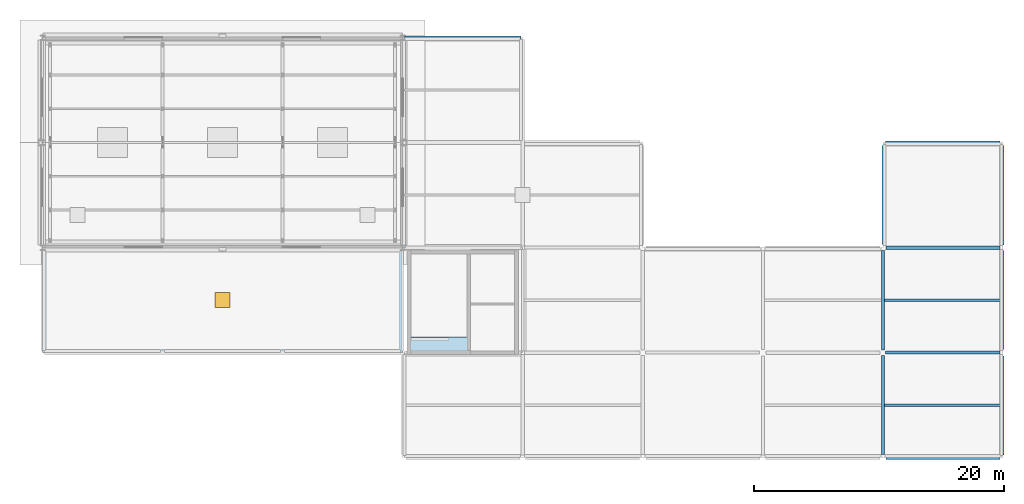
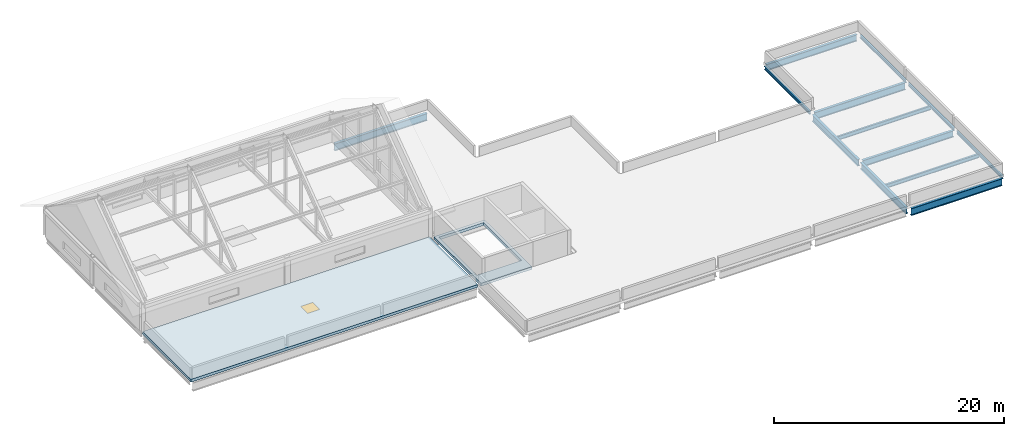
# One storey, part 7 of 10: 13 beams, 2 slabs, 1 door, 1 opening.
"""IFC4 building model written with IfcOpenShell, lengths in metres."""

from ifc_helpers import new_model, si_unit, direction, frame, origin, origin_2d, place, context, subcontext, project, spatial, polyline, rectangle, i_section, outline, extrude, material, layer, layer_set, material_profile, profile_set, type_object, element, fill, save


model = new_model("IFC4")

# Units and contexts
model_context = context("Model", 3, precision=1e-05, world=origin(), true_north=direction((0.0, 1.0)))
body_context = subcontext(model_context, "Body", "Model", "MODEL_VIEW")
ifc_project = project(units=[si_unit("LENGTHUNIT", "METRE"), si_unit("AREAUNIT", "SQUARE_METRE"), si_unit("VOLUMEUNIT", "CUBIC_METRE"), si_unit("PLANEANGLEUNIT", "RADIAN"), si_unit("MASSUNIT", "GRAM", prefix="KILO")], contexts=[model_context])

# Site, building, storey
site_placement = place(None, origin())
site = spatial("IfcSite", under=ifc_project, at=site_placement, CompositionType="ELEMENT")
building_placement = place(site_placement, origin())
building = spatial("IfcBuilding", under=site, at=building_placement, Name="Lornevale Opera House", CompositionType="ELEMENT")
storey_placement = place(building_placement, frame((0.0, 0.0, 31.199951171875)))
storey = spatial("IfcBuildingStorey", under=building, at=storey_placement, Name="RF", CompositionType="ELEMENT", Elevation=31.199951171875)

# Beams
ifc_material_1 = material(Name="Structural Steel CSA G40.21 Grade 350W (350 MPa)", Category="steel")
ifc_material_profile_1 = material_profile(ifc_material_1, i_section(OverallWidth=0.179931640625, OverallDepth=0.4130859375, WebThickness=0.009765625, FlangeThickness=0.01611328125, at=origin_2d()), Name="W410x74")
ifc_profile_set_1 = profile_set([ifc_material_profile_1], Name="Structural Steel CSA G40.21 Grade 350W (350 MPa)")
beam_type_1 = type_object("IfcBeamType", Name="Steel Floor Joist W410x74", PredefinedType="JOIST", material=ifc_profile_set_1)
for number, where, z_axis, x_axis, name in (
    (1, (134.527099609375, 54.60009765625, -0.511474609375), (1.0, 0.0, 0.0), (0.0, 1.0, 0.0), "Steel Floor Joist W410x74 2937"),
    (2, (134.527099609375, 63.0, -0.511474609375), (1.0, 0.0, 0.0), (0.0, 1.0, 0.0), "Steel Floor Joist W410x74 2938"),
):
    element("IfcBeam", number, at=place(storey_placement, frame(where, z_axis=z_axis, x_axis=x_axis)), inside=storey, type_object=beam_type_1, Name=name, PredefinedType="JOIST", context=body_context, shape_type="SweptSolid", body=[
        extrude(i_section(OverallWidth=0.179931640625, OverallDepth=0.4130859375, WebThickness=0.009765625, FlangeThickness=0.01611328125, at=origin_2d()), origin(), (0.0, 0.0, 1.0), 9.389404296875),
    ])
ifc_material_profile_2 = material_profile(ifc_material_1, i_section(OverallWidth=0.25390625, OverallDepth=0.68798828125, WebThickness=0.01318359375, FlangeThickness=0.02099609375, at=origin_2d()), Name="W690x152")
ifc_profile_set_2 = profile_set([ifc_material_profile_2], Name="Structural Steel CSA G40.21 Grade 350W (350 MPa)")
beam_type_2 = type_object("IfcBeamType", Name="Steel Foyer Beam W690x152", PredefinedType="USERDEFINED", material=ifc_profile_set_2)
for number, where, z_axis, x_axis, name in (
    (3, (134.625, 58.800048828125, -0.64892578125), (1.0, 0.0, 0.0), (0.0, 1.0, 0.0), "Steel Foyer Beam W690x152 2898"),
    (4, (134.625, 75.60009765625, -0.64892578125), (1.0, 0.0, 0.0), (0.0, 1.0, 0.0), "Steel Foyer Beam W690x152 2906"),
):
    element("IfcBeam", number, at=place(storey_placement, frame(where, z_axis=z_axis, x_axis=x_axis)), inside=storey, type_object=beam_type_2, Name=name, ObjectType="GIRDER", PredefinedType="USERDEFINED", context=body_context, shape_type="SweptSolid", body=[
        extrude(i_section(OverallWidth=0.25390625, OverallDepth=0.68798828125, WebThickness=0.01318359375, FlangeThickness=0.02099609375, at=origin_2d()), origin(), (0.0, 0.0, 1.0), 9.125),
    ])
for number, where, z_axis, x_axis, name in (
    (5, (134.39990234375, 50.64990234375, -0.64892578125), (0.0, 1.0, 0.0), (-1.0, 0.0, 0.0), "Steel Foyer Beam W690x152 2923"),
    (6, (134.39990234375, 59.02490234375, -0.64892578125), (0.0, 1.0, 0.0), (-1.0, 0.0, 0.0), "Steel Foyer Beam W690x152 2924"),
):
    element("IfcBeam", number, at=place(storey_placement, frame(where, z_axis=z_axis, x_axis=x_axis)), inside=storey, type_object=beam_type_2, Name=name, ObjectType="GIRDER", PredefinedType="USERDEFINED", context=body_context, shape_type="SweptSolid", body=[
        extrude(i_section(OverallWidth=0.25390625, OverallDepth=0.68798828125, WebThickness=0.01318359375, FlangeThickness=0.02099609375, at=origin_2d()), origin(), (0.0, 0.0, 1.0), 7.925048828125),
    ])
ifc_material_profile_3 = material_profile(ifc_material_1, i_section(OverallWidth=0.1669921875, OverallDepth=0.31689453125, WebThickness=0.007568359375, FlangeThickness=0.01318359375, at=origin_2d()), Name="W310x52")
ifc_profile_set_3 = profile_set([ifc_material_profile_3], Name="Structural Steel CSA G40.21 Grade 350W (350 MPa)")
beam_type_3 = type_object("IfcBeamType", Name="Steel Spandrel Beam W310x52", PredefinedType="SPANDREL", material=ifc_profile_set_3)
for number, where, z_axis, x_axis, name in (
    (7, (134.39990234375, 67.449951171875, -0.46337890625), (0.0, 1.0, 0.0), (-1.0, 0.0, 0.0), "Steel Spandrel Beam W310x52 2925"),
    (8, (144.0, 50.625, -0.46337890625), (0.0, 1.0, 0.0), (-1.0, 0.0, 0.0), "Steel Spandrel Beam W310x52 2926"),
    (9, (144.0, 59.050048828125, -0.46337890625), (0.0, 1.0, 0.0), (-1.0, 0.0, 0.0), "Steel Spandrel Beam W310x52 2927"),
    (10, (144.0, 67.425048828125, -0.46337890625), (0.0, 1.0, 0.0), (-1.0, 0.0, 0.0), "Steel Spandrel Beam W310x52 2928"),
):
    element("IfcBeam", number, at=place(storey_placement, frame(where, z_axis=z_axis, x_axis=x_axis)), inside=storey, type_object=beam_type_3, Name=name, PredefinedType="SPANDREL", context=body_context, shape_type="SweptSolid", body=[
        extrude(i_section(OverallWidth=0.1669921875, OverallDepth=0.31689453125, WebThickness=0.007568359375, FlangeThickness=0.01318359375, at=origin_2d()), origin(), (0.0, 0.0, 1.0), 7.925048828125),
    ])
ifc_material_profile_4 = material_profile(ifc_material_1, i_section(OverallWidth=0.26708984375, OverallDepth=0.76611328125, WebThickness=0.014892578125, FlangeThickness=0.023681640625, at=origin_2d()), Name="W760x185")
ifc_profile_set_4 = profile_set([ifc_material_profile_4], Name="Structural Steel CSA G40.21 Grade 350W (350 MPa)")
beam_type_4 = type_object("IfcBeamType", Name="Steel Workshop Girder W760x185", PredefinedType="USERDEFINED", material=ifc_profile_set_4)
for number, where, z_axis, x_axis, name in (
    (11, (134.64990234375, 50.39990234375, -0.68798828125), (1.0, 0.0, 0.0), (0.0, 1.0, 0.0), "Steel Workshop Girder W760x185 2892"),
    (12, (134.64990234375, 67.199951171875, -0.68798828125), (1.0, 0.0, 0.0), (0.0, 1.0, 0.0), "Steel Workshop Girder W760x185 2904"),
):
    element("IfcBeam", number, at=place(storey_placement, frame(where, z_axis=z_axis, x_axis=x_axis)), inside=storey, type_object=beam_type_4, Name=name, ObjectType="GIRDER", PredefinedType="USERDEFINED", context=body_context, shape_type="SweptSolid", body=[
        extrude(i_section(OverallWidth=0.26708984375, OverallDepth=0.76611328125, WebThickness=0.014892578125, FlangeThickness=0.023681640625, at=origin_2d()), origin(), (0.0, 0.0, 1.0), 9.125),
    ])
beam_placement = place(storey_placement, frame((96.14794921875, 84.0, -0.718017578125), z_axis=(1.0, 0.0, 0.0), x_axis=(0.0, 1.0, 0.0)))
element("IfcBeam", 13, at=beam_placement, inside=storey, type_object=beam_type_4, Name="Steel Workshop Girder W760x185 2907", ObjectType="GIRDER", PredefinedType="USERDEFINED", context=body_context, shape_type="SweptSolid", body=[
    extrude(i_section(OverallWidth=0.26708984375, OverallDepth=0.76611328125, WebThickness=0.014892578125, FlangeThickness=0.023681640625, at=origin_2d()), origin(), (0.0, 0.0, 1.0), 9.303955078125),
])

# Slab
ifc_material_2 = material(Name="Concrete 40 MPa (CSA A23.1 C-1)", Category="concrete")
ifc_layer_1 = layer(ifc_material_2, 0.300048828125)
ifc_layer_set_1 = layer_set([ifc_layer_1], Name="Concrete 40 MPa (CSA A23.1 C-1)")
slab_type_1 = type_object("IfcSlabType", Name="Fly Tower Crown Catwalk Floor Slab 300", PredefinedType="FLOOR", material=ifc_layer_set_1)
slab_1_placement = place(storey_placement, frame((0.0, 0.0, -0.300048828125)))
element("IfcSlab", 14, at=slab_1_placement, inside=storey, type_object=slab_type_1, Name="Unoccupied Maintenance Fly Tower Crown Catwalk Floor Slab SL-071", PredefinedType="FLOOR", context=body_context, shape_type="SweptSolid", body=[
    extrude(outline(polyline([(96.340087890625, 58.800048828125), (101.43994140625, 58.800048828125), (101.43994140625, 67.0), (96.340087890625, 67.0), (96.340087890625, 58.800048828125)]), holes=[polyline([(96.659912109375, 60.06005859375), (101.139892578125, 60.06005859375), (101.139892578125, 66.679931640625), (96.659912109375, 66.679931640625), (96.659912109375, 60.06005859375)])]), origin(), (0.0, 0.0, 1.0), 0.300048828125),
])

# Slab, opening, door
ifc_material_3 = material(Name="Concrete 35 MPa (CSA A23.1 N)", Category="concrete")
ifc_layer_2 = layer(ifc_material_3, 0.2900390625)
ifc_layer_set_2 = layer_set([ifc_layer_2], Name="Concrete 35 MPa (CSA A23.1 N)")
slab_type_2 = type_object("IfcSlabType", Name="Vegetated Green Roof Slab 290", PredefinedType="ROOF", material=ifc_layer_set_2)
slab_2_placement = place(storey_placement, frame((0.0, 0.0, -0.2900390625)))
slab_2 = element("IfcSlab", 15, at=slab_2_placement, inside=storey, type_object=slab_type_2, Name="Unoccupied Maintenance Vegetated Green Roof Slab SL-088", PredefinedType="ROOF", context=body_context, shape_type="SweptSolid", body=[
    extrude(outline(polyline([(86.39990234375, 67.199951171875), (96.0, 67.199951171875), (96.0, 58.800048828125), (86.39990234375, 58.800048828125), (76.800048828125, 58.800048828125), (67.199951171875, 58.800048828125), (67.199951171875, 67.199951171875), (76.800048828125, 67.199951171875), (86.39990234375, 67.199951171875)])), origin(), (0.0, 0.0, 1.0), 0.2900390625),
])
opening_placement = place(slab_2_placement, frame((81.60009765625, 63.0, 0.0)))
opening = element("IfcOpeningElement", 16, at=opening_placement, cuts=slab_2, Name="Opening DR-T09", PredefinedType="OPENING", context=body_context, shape_type="SweptSolid", body=[
    extrude(rectangle(XDim=1.199951171875, YDim=1.199951171875, at=origin_2d()), origin(), (0.0, 0.0, 1.0), 0.2900390625),
])
ifc_material_4 = material(Name="Painted Hollow Metal Door Steel", Category="steel")
ifc_layer_3 = layer(ifc_material_4, 0.050048828125)
ifc_layer_set_3 = layer_set([ifc_layer_3], Name="Painted Hollow Metal Door Steel")
door_type = type_object("IfcDoorType", Name="Fly Tower Roof Access Hatch 1200x1200", OperationType="NOTDEFINED", PredefinedType="TRAPDOOR", material=ifc_layer_set_3)
door_placement = place(opening_placement, frame((0.0, 0.0, 0.239990234375)))
door = element("IfcDoor", 17, at=door_placement, inside=storey, type_object=door_type, Name="Stagehouse Roof Access Hatch DR-HAT-048", OperationType="SINGLE_SWING_LEFT", OverallHeight=1.199951171875, OverallWidth=1.199951171875, PredefinedType="TRAPDOOR", context=body_context, shape_type="SweptSolid", body=[
    extrude(rectangle(XDim=1.199951171875, YDim=1.199951171875, at=origin_2d()), origin(), (0.0, 0.0, 1.0), 0.050048828125),
])
fill(opening, door)

save(model, "model.ifc")
